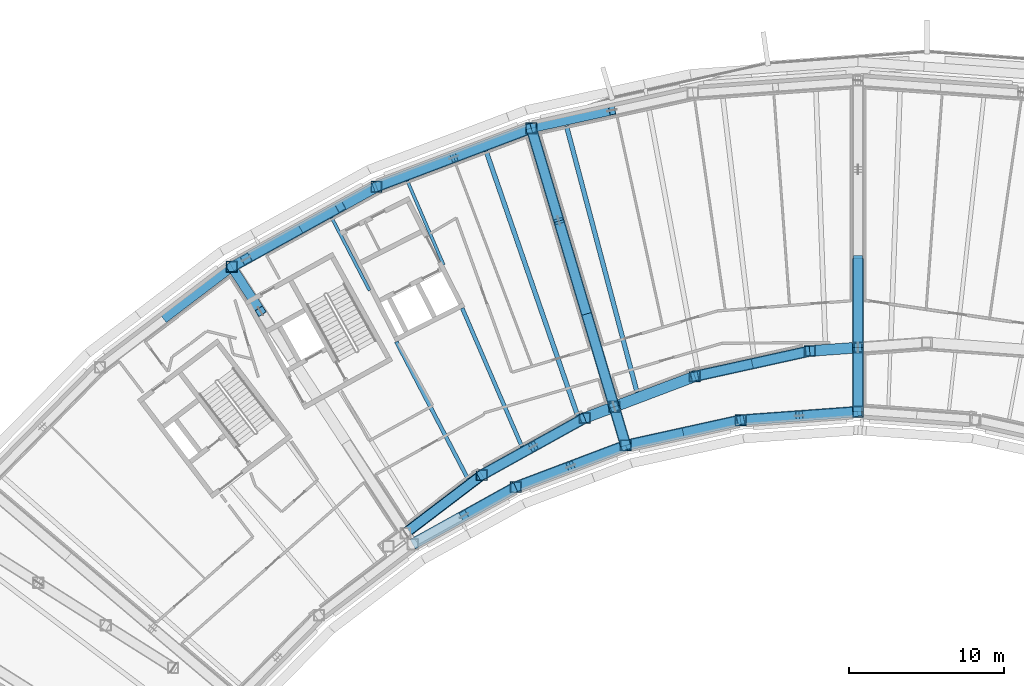
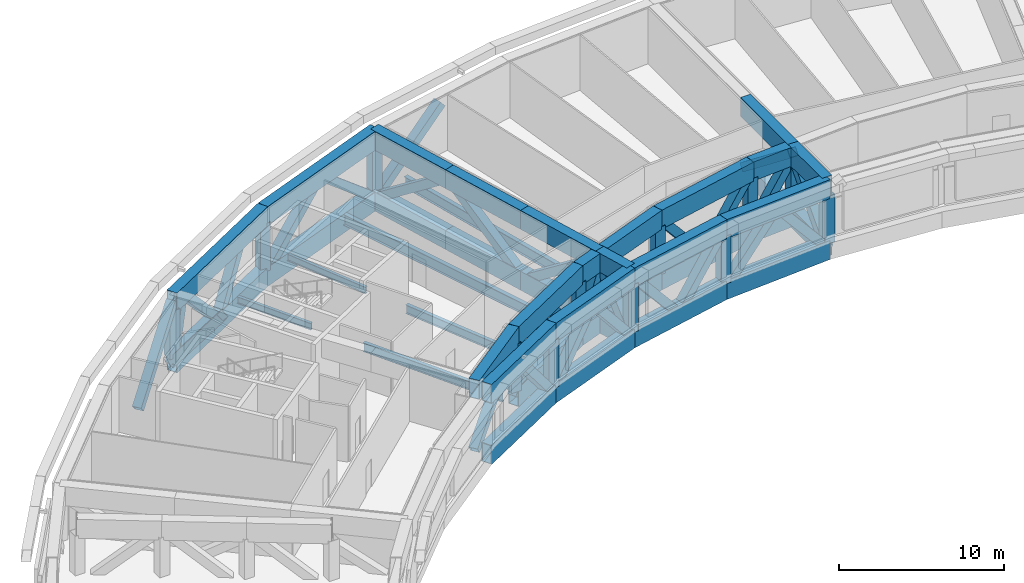
# One storey, part 2 of 25: 41 beams, 41 members.
"""IFC4 building model written with IfcOpenShell, lengths in metres."""

from ifc_helpers import new_model, si_unit, direction, frame, origin, origin_2d, place, context, subcontext, project, spatial, hollow_rectangle, i_section, extrude, material, material_profile, profile_set, type_object, element, save


model = new_model("IFC4")

# Units and contexts
model_context = context("Model", 3, precision=1e-05, world=origin(), true_north=direction((0.0, 1.0)))
body_context = subcontext(model_context, "Body", "Model", "MODEL_VIEW")
ifc_project = project(units=[si_unit("LENGTHUNIT", "METRE"), si_unit("AREAUNIT", "SQUARE_METRE"), si_unit("VOLUMEUNIT", "CUBIC_METRE"), si_unit("PLANEANGLEUNIT", "RADIAN"), si_unit("MASSUNIT", "GRAM", prefix="KILO")], contexts=[model_context])

# Site, building, storey
site_placement = place(None, origin())
site = spatial("IfcSite", under=ifc_project, at=site_placement, CompositionType="ELEMENT")
building_placement = place(site_placement, origin())
building = spatial("IfcBuilding", under=site, at=building_placement, Name="Tuul Gate Civic Tower", CompositionType="ELEMENT")
storey_placement = place(building_placement, frame((0.0, 0.0, 133.699951171875)))
storey = spatial("IfcBuildingStorey", under=building, at=storey_placement, Name="Plant and refuge floor 4", CompositionType="ELEMENT", Elevation=133.699951171875)

# Beams
ifc_material_1 = material(Name="Steel S355", Category="steel")
ifc_material_profile_1 = material_profile(ifc_material_1, i_section(OverallWidth=0.199951171875, OverallDepth=0.5, WebThickness=0.010009765625, FlangeThickness=0.01611328125, at=origin_2d()), Name="PG500x200x10x16")
ifc_profile_set_1 = profile_set([ifc_material_profile_1], Name="Steel S355")
beam_type_1 = type_object("IfcBeamType", Name="STR-FLOOR BEAM-PG500x200x10x16", PredefinedType="BEAM", material=ifc_profile_set_1)
beam_1_placement = place(storey_placement, frame((-21.35888671875, -2.661865234375, -0.64990234375), z_axis=(-0.395908045879, 0.918290160683, 0.0), x_axis=(-0.918290160683, -0.395908045879, 0.0)))
element("IfcBeam", 1, at=beam_1_placement, inside=storey, type_object=beam_type_1, Name="Floor beam", PredefinedType="BEAM", context=body_context, shape_type="SweptSolid", body=[
    extrude(i_section(OverallWidth=0.199951171875, OverallDepth=0.5, WebThickness=0.010009765625, FlangeThickness=0.01611328125, at=origin_2d()), origin(), (0.0, 0.0, 1.0), 5.908935546875),
])
beam_2_placement = place(storey_placement, frame((-26.133544921875, -4.304443359375, -0.64990234375), z_axis=(-0.462715913239, 0.886506617931, 0.0), x_axis=(-0.886506617931, -0.462715913239, 0.0)))
element("IfcBeam", 2, at=beam_2_placement, inside=storey, type_object=beam_type_1, Name="Floor beam", PredefinedType="BEAM", context=body_context, shape_type="SweptSolid", body=[
    extrude(i_section(OverallWidth=0.199951171875, OverallDepth=0.5, WebThickness=0.010009765625, FlangeThickness=0.01611328125, at=origin_2d()), origin(), (0.0, 0.0, 1.0), 5.287353515625),
])
ifc_material_2 = material(Name="Steel S355", Category="steel")
ifc_material_profile_2 = material_profile(ifc_material_2, i_section(OverallWidth=0.25, OverallDepth=0.64990234375, WebThickness=0.011962890625, FlangeThickness=0.02001953125, at=origin_2d()), Name="PG650x250x12x20")
ifc_profile_set_2 = profile_set([ifc_material_profile_2], Name="Steel S355")
beam_type_2 = type_object("IfcBeamType", Name="STR-FLOOR BEAM-PG650x250x12x20", PredefinedType="BEAM", material=ifc_profile_set_2)
beam_3_placement = place(storey_placement, frame((-16.30615234375, -14.381103515625, -0.724853515625), z_axis=(-0.395915892175, 0.918286777822, 0.0), x_axis=(-0.918286777822, -0.395915892175, 0.0)))
element("IfcBeam", 3, at=beam_3_placement, inside=storey, type_object=beam_type_2, Name="Floor beam", PredefinedType="BEAM", context=body_context, shape_type="SweptSolid", body=[
    extrude(i_section(OverallWidth=0.25, OverallDepth=0.64990234375, WebThickness=0.011962890625, FlangeThickness=0.02001953125, at=origin_2d()), origin(), (0.0, 0.0, 1.0), 9.720947265625),
])
beam_4_placement = place(storey_placement, frame((-19.7900390625, -16.457275390625, -0.724853515625), z_axis=(-0.462740075559, 0.886494005886, 0.0), x_axis=(-0.886494005886, -0.462740075559, 0.0)))
element("IfcBeam", 4, at=beam_4_placement, inside=storey, type_object=beam_type_2, Name="Floor beam", PredefinedType="BEAM", context=body_context, shape_type="SweptSolid", body=[
    extrude(i_section(OverallWidth=0.25, OverallDepth=0.64990234375, WebThickness=0.011962890625, FlangeThickness=0.02001953125, at=origin_2d()), origin(), (0.0, 0.0, 1.0), 9.969482421875),
])
ifc_material_3 = material(Name="Steel S355", Category="steel")
ifc_material_profile_3 = material_profile(ifc_material_3, i_section(OverallWidth=0.300048828125, OverallDepth=0.800048828125, WebThickness=0.013916015625, FlangeThickness=0.02490234375, at=origin_2d()), Name="PG800x300x14x25")
ifc_profile_set_3 = profile_set([ifc_material_profile_3], Name="Steel S355")
beam_type_3 = type_object("IfcBeamType", Name="STR-FLOOR BEAM-PG800x300x14x25", PredefinedType="BEAM", material=ifc_profile_set_3)
beam_5_placement = place(storey_placement, frame((-8.8779296875, -10.884765625, -0.800048828125), z_axis=(-0.256141240294, 0.966639366579, 0.0), x_axis=(-0.966639366579, -0.256141240294, 0.0)))
element("IfcBeam", 5, at=beam_5_placement, inside=storey, type_object=beam_type_3, Name="Floor beam", PredefinedType="BEAM", context=body_context, shape_type="SweptSolid", body=[
    extrude(i_section(OverallWidth=0.300048828125, OverallDepth=0.800048828125, WebThickness=0.013916015625, FlangeThickness=0.02490234375, at=origin_2d()), origin(), (0.0, 0.0, 1.0), 17.781982421875),
])
beam_6_placement = place(storey_placement, frame((-12.711181640625, -12.387939453125, -0.800048828125), z_axis=(-0.326922580013, 0.945051123844, 0.0), x_axis=(-0.945051123844, -0.326922580013, 0.0)))
element("IfcBeam", 6, at=beam_6_placement, inside=storey, type_object=beam_type_3, Name="Floor beam", PredefinedType="BEAM", context=body_context, shape_type="SweptSolid", body=[
    extrude(i_section(OverallWidth=0.300048828125, OverallDepth=0.800048828125, WebThickness=0.013916015625, FlangeThickness=0.02490234375, at=origin_2d()), origin(), (0.0, 0.0, 1.0), 18.066162109375),
])
ifc_material_4 = material(Name="Steel S460", Category="steel")
ifc_material_profile_4 = material_profile(ifc_material_4, hollow_rectangle(XDim=0.699951171875, YDim=1.39990234375, WallThickness=0.0400390625, at=origin_2d()), Name="BOX1400x700x40")
ifc_profile_set_4 = profile_set([ifc_material_profile_4], Name="Steel S460")
beam_type_4 = type_object("IfcBeamType", Name="STR-TRANSFER TRUSS CHORD-BOX1400x700x40", PredefinedType="BEAM", material=ifc_profile_set_4)
for number, where, z_axis, x_axis, name in (
    (7, (-15.702880859375, 6.162109375, -1.099853515625), (0.285194239364, -0.958469741741, 0.0), (0.958469741741, 0.285194239364, 0.0), "Radial truss bottom chord"),
    (8, (-13.919677734375, 0.169189453125, -1.099853515625), (0.285194239364, -0.958469741741, 0.0), (0.958469741741, 0.285194239364, 0.0), "Radial truss bottom chord"),
    (9, (-12.136474609375, -5.82373046875, -1.099853515625), (0.285230109213, -0.958459067878, 0.0), (0.958459067878, 0.285230109213, 0.0), "Radial truss bottom chord"),
):
    element("IfcBeam", number, at=place(storey_placement, frame(where, z_axis=z_axis, x_axis=x_axis)), inside=storey, type_object=beam_type_4, Name=name, PredefinedType="BEAM", context=body_context, shape_type="SweptSolid", body=[
        extrude(hollow_rectangle(XDim=0.699951171875, YDim=1.39990234375, WallThickness=0.0400390625, at=origin_2d()), origin(), (0.0, 0.0, 1.0), 6.252685546875),
    ])
beam_7_placement = place(storey_placement, frame((-10.35302734375, -11.816650390625, -1.099853515625), z_axis=(0.285191935916, -0.958470427133, 0.0), x_axis=(0.958470427133, 0.285191935916, 0.0)))
element("IfcBeam", 10, at=beam_7_placement, inside=storey, type_object=beam_type_4, Name="Radial truss bottom chord", PredefinedType="BEAM", context=body_context, shape_type="SweptSolid", body=[
    extrude(hollow_rectangle(XDim=0.699951171875, YDim=1.39990234375, WallThickness=0.0400390625, at=origin_2d()), origin(), (0.0, 0.0, 1.0), 2.59814453125),
])
for number, where, z_axis, x_axis, name in (
    (11, (-15.702880859375, 6.162109375, 3.400146484375), (0.285194239364, -0.958469741741, 0.0), (0.958469741741, 0.285194239364, 0.0), "Radial truss top chord"),
    (12, (-13.919677734375, 0.169189453125, 3.400146484375), (0.285194239364, -0.958469741741, 0.0), (0.958469741741, 0.285194239364, 0.0), "Radial truss top chord"),
    (13, (-12.136474609375, -5.82373046875, 3.400146484375), (0.285230109213, -0.958459067878, 0.0), (0.958459067878, 0.285230109213, 0.0), "Radial truss top chord"),
):
    element("IfcBeam", number, at=place(storey_placement, frame(where, z_axis=z_axis, x_axis=x_axis)), inside=storey, type_object=beam_type_4, Name=name, PredefinedType="BEAM", context=body_context, shape_type="SweptSolid", body=[
        extrude(hollow_rectangle(XDim=0.699951171875, YDim=1.39990234375, WallThickness=0.0400390625, at=origin_2d()), origin(), (0.0, 0.0, 1.0), 6.252685546875),
    ])
beam_8_placement = place(storey_placement, frame((-10.35302734375, -11.816650390625, 3.400146484375), z_axis=(0.285191935916, -0.958470427133, 0.0), x_axis=(0.958470427133, 0.285191935916, 0.0)))
element("IfcBeam", 14, at=beam_8_placement, inside=storey, type_object=beam_type_4, Name="Radial truss top chord", PredefinedType="BEAM", context=body_context, shape_type="SweptSolid", body=[
    extrude(hollow_rectangle(XDim=0.699951171875, YDim=1.39990234375, WallThickness=0.0400390625, at=origin_2d()), origin(), (0.0, 0.0, 1.0), 2.59814453125),
])
beam_9_placement = place(storey_placement, frame((5.3740234375, -2.250732421875, -1.099853515625), z_axis=(0.0, -1.0, 0.0), x_axis=(1.0, 0.0, 0.0)))
element("IfcBeam", 15, at=beam_9_placement, inside=storey, type_object=beam_type_4, Name="Radial truss bottom chord", PredefinedType="BEAM", context=body_context, shape_type="SweptSolid", body=[
    extrude(hollow_rectangle(XDim=0.699951171875, YDim=1.39990234375, WallThickness=0.0400390625, at=origin_2d()), origin(), (0.0, 0.0, 1.0), 5.7412109375),
])
beam_10_placement = place(storey_placement, frame((5.3740234375, -7.991943359375, -1.099853515625), z_axis=(0.0, -1.0, 0.0), x_axis=(1.0, 0.0, 0.0)))
element("IfcBeam", 16, at=beam_10_placement, inside=storey, type_object=beam_type_4, Name="Radial truss bottom chord", PredefinedType="BEAM", context=body_context, shape_type="SweptSolid", body=[
    extrude(hollow_rectangle(XDim=0.699951171875, YDim=1.39990234375, WallThickness=0.0400390625, at=origin_2d()), origin(), (0.0, 0.0, 1.0), 4.132080078125),
])
beam_11_placement = place(storey_placement, frame((5.3740234375, -2.250732421875, 3.400146484375), z_axis=(0.0, -1.0, 0.0), x_axis=(1.0, 0.0, 0.0)))
element("IfcBeam", 17, at=beam_11_placement, inside=storey, type_object=beam_type_4, Name="Radial truss top chord", PredefinedType="BEAM", context=body_context, shape_type="SweptSolid", body=[
    extrude(hollow_rectangle(XDim=0.699951171875, YDim=1.39990234375, WallThickness=0.0400390625, at=origin_2d()), origin(), (0.0, 0.0, 1.0), 5.7412109375),
])
beam_12_placement = place(storey_placement, frame((5.3740234375, -7.991943359375, 3.400146484375), z_axis=(0.0, -1.0, 0.0), x_axis=(1.0, 0.0, 0.0)))
element("IfcBeam", 18, at=beam_12_placement, inside=storey, type_object=beam_type_4, Name="Radial truss top chord", PredefinedType="BEAM", context=body_context, shape_type="SweptSolid", body=[
    extrude(hollow_rectangle(XDim=0.699951171875, YDim=1.39990234375, WallThickness=0.0400390625, at=origin_2d()), origin(), (0.0, 0.0, 1.0), 4.132080078125),
])
for number, where, z_axis, x_axis, name in (
    (19, (-15.702880859375, 6.162109375, -1.099853515625), (-0.935341677357, -0.353745595873, 0.0), (0.353745595873, -0.935341677357, 0.0), "Belt truss bottom chord"),
    (20, (-15.702880859375, 6.162109375, 3.400146484375), (-0.935341677357, -0.353745595873, 0.0), (0.353745595873, -0.935341677357, 0.0), "Belt truss top chord"),
):
    element("IfcBeam", number, at=place(storey_placement, frame(where, z_axis=z_axis, x_axis=x_axis)), inside=storey, type_object=beam_type_4, Name=name, PredefinedType="BEAM", context=body_context, shape_type="SweptSolid", body=[
        extrude(hollow_rectangle(XDim=0.699951171875, YDim=1.39990234375, WallThickness=0.0400390625, at=origin_2d()), origin(), (0.0, 0.0, 1.0), 10.677490234375),
    ])
for number, where, z_axis, x_axis, name in (
    (21, (-25.68994140625, 2.385009765625, -1.099853515625), (-0.874627142999, -0.484796205358, 0.0), (0.484796205358, -0.874627142999, 0.0), "Belt truss bottom chord"),
    (22, (-25.68994140625, 2.385009765625, 3.400146484375), (-0.874627142999, -0.484796205358, 0.0), (0.484796205358, -0.874627142999, 0.0), "Belt truss top chord"),
):
    element("IfcBeam", number, at=place(storey_placement, frame(where, z_axis=z_axis, x_axis=x_axis)), inside=storey, type_object=beam_type_4, Name=name, PredefinedType="BEAM", context=body_context, shape_type="SweptSolid", body=[
        extrude(hollow_rectangle(XDim=0.699951171875, YDim=1.39990234375, WallThickness=0.0400390625, at=origin_2d()), origin(), (0.0, 0.0, 1.0), 10.6767578125),
    ])
for number, where, z_axis, x_axis, name in (
    (23, (-18.89794921875, -16.218017578125, -1.099853515625), (0.874599842838, 0.484845454663, 0.0), (-0.484845454663, 0.874599842838, 0.0), "Belt truss bottom chord"),
    (24, (-18.89794921875, -16.218017578125, 3.400146484375), (0.874599842838, 0.484845454663, 0.0), (-0.484845454663, 0.874599842838, 0.0), "Belt truss top chord"),
    (25, (-9.612060546875, -14.306884765625, -1.099853515625), (0.97656990875, 0.215200402705, 0.0), (-0.215200402705, 0.97656990875, 0.0), "Belt truss bottom chord"),
    (26, (-9.612060546875, -14.306884765625, 3.400146484375), (0.97656990875, 0.215200402705, 0.0), (-0.215200402705, 0.97656990875, 0.0), "Belt truss top chord"),
    (27, (-5.156982421875, -9.85205078125, -1.099853515625), (0.976563150076, 0.215231070978, 0.0), (-0.215231070978, 0.976563150076, 0.0), "Belt truss bottom chord"),
    (28, (-5.156982421875, -9.85205078125, 3.400146484375), (0.976563150076, 0.215231070978, 0.0), (-0.215231070978, 0.976563150076, 0.0), "Belt truss top chord"),
):
    element("IfcBeam", number, at=place(storey_placement, frame(where, z_axis=z_axis, x_axis=x_axis)), inside=storey, type_object=beam_type_4, Name=name, PredefinedType="BEAM", context=body_context, shape_type="SweptSolid", body=[
        extrude(hollow_rectangle(XDim=0.699951171875, YDim=1.39990234375, WallThickness=0.0400390625, at=origin_2d()), origin(), (0.0, 0.0, 1.0), 7.592041015625),
    ])
for number, where, z_axis, x_axis, name in (
    (29, (2.257080078125, -8.218017578125, -1.099853515625), (0.9973799208, 0.072341506653, 0.0), (-0.072341506653, 0.9973799208, 0.0), "Belt truss bottom chord"),
    (30, (2.257080078125, -8.218017578125, 3.400146484375), (0.9973799208, 0.072341506653, 0.0), (-0.072341506653, 0.9973799208, 0.0), "Belt truss top chord"),
):
    element("IfcBeam", number, at=place(storey_placement, frame(where, z_axis=z_axis, x_axis=x_axis)), inside=storey, type_object=beam_type_4, Name=name, PredefinedType="BEAM", context=body_context, shape_type="SweptSolid", body=[
        extrude(hollow_rectangle(XDim=0.699951171875, YDim=1.39990234375, WallThickness=0.0400390625, at=origin_2d()), origin(), (0.0, 0.0, 1.0), 2.774169921875),
    ])
for number, where, z_axis, x_axis, name in (
    (31, (-2.197998046875, -12.673095703125, -1.099853515625), (0.997381233603, 0.072323404623, 0.0), (-0.072323404623, 0.997381233603, 0.0), "Belt truss bottom chord"),
    (32, (-2.197998046875, -12.673095703125, 3.400146484375), (0.997381233603, 0.072323404623, 0.0), (-0.072323404623, 0.997381233603, 0.0), "Belt truss top chord"),
):
    element("IfcBeam", number, at=place(storey_placement, frame(where, z_axis=z_axis, x_axis=x_axis)), inside=storey, type_object=beam_type_4, Name=name, PredefinedType="BEAM", context=body_context, shape_type="SweptSolid", body=[
        extrude(hollow_rectangle(XDim=0.699951171875, YDim=1.39990234375, WallThickness=0.0400390625, at=origin_2d()), origin(), (0.0, 0.0, 1.0), 7.591796875),
    ])
for number, where, z_axis, x_axis, name in (
    (33, (-16.712890625, -16.991943359375, -1.099853515625), (0.935362186019, 0.353691363996, 0.0), (-0.353691363996, 0.935362186019, 0.0), "Belt truss bottom chord"),
    (34, (-16.712890625, -16.991943359375, 3.400146484375), (0.935362186019, 0.353691363996, 0.0), (-0.353691363996, 0.935362186019, 0.0), "Belt truss top chord"),
):
    element("IfcBeam", number, at=place(storey_placement, frame(where, z_axis=z_axis, x_axis=x_axis)), inside=storey, type_object=beam_type_4, Name=name, PredefinedType="BEAM", context=body_context, shape_type="SweptSolid", body=[
        extrude(hollow_rectangle(XDim=0.699951171875, YDim=1.39990234375, WallThickness=0.0400390625, at=origin_2d()), origin(), (0.0, 0.0, 1.0), 7.591552734375),
    ])
beam_13_placement = place(storey_placement, frame((-12.258056640625, -12.537109375, -1.099853515625), z_axis=(0.935361385348, 0.353693481421, 0.0), x_axis=(-0.353693481421, 0.935361385348, 0.0)))
element("IfcBeam", 35, at=beam_13_placement, inside=storey, type_object=beam_type_4, Name="Belt truss bottom chord", PredefinedType="BEAM", context=body_context, shape_type="SweptSolid", body=[
    extrude(hollow_rectangle(XDim=0.699951171875, YDim=1.39990234375, WallThickness=0.0400390625, at=origin_2d()), origin(), (0.0, 0.0, 1.0), 1.685546875),
])
beam_14_placement = place(storey_placement, frame((-10.02490234375, -11.692626953125, -1.099853515625), z_axis=(0.935371420717, 0.35366694121, 0.0), x_axis=(-0.35366694121, 0.935371420717, 0.0)))
element("IfcBeam", 36, at=beam_14_placement, inside=storey, type_object=beam_type_4, Name="Belt truss bottom chord", PredefinedType="BEAM", context=body_context, shape_type="SweptSolid", body=[
    extrude(hollow_rectangle(XDim=0.699951171875, YDim=1.39990234375, WallThickness=0.0400390625, at=origin_2d()), origin(), (0.0, 0.0, 1.0), 5.204345703125),
])
beam_15_placement = place(storey_placement, frame((-12.258056640625, -12.537109375, 3.400146484375), z_axis=(0.935361385348, 0.353693481421, 0.0), x_axis=(-0.353693481421, 0.935361385348, 0.0)))
element("IfcBeam", 37, at=beam_15_placement, inside=storey, type_object=beam_type_4, Name="Belt truss top chord", PredefinedType="BEAM", context=body_context, shape_type="SweptSolid", body=[
    extrude(hollow_rectangle(XDim=0.699951171875, YDim=1.39990234375, WallThickness=0.0400390625, at=origin_2d()), origin(), (0.0, 0.0, 1.0), 1.685546875),
])
beam_16_placement = place(storey_placement, frame((-10.02490234375, -11.692626953125, 3.400146484375), z_axis=(0.935371420717, 0.35366694121, 0.0), x_axis=(-0.35366694121, 0.935371420717, 0.0)))
element("IfcBeam", 38, at=beam_16_placement, inside=storey, type_object=beam_type_4, Name="Belt truss top chord", PredefinedType="BEAM", context=body_context, shape_type="SweptSolid", body=[
    extrude(hollow_rectangle(XDim=0.699951171875, YDim=1.39990234375, WallThickness=0.0400390625, at=origin_2d()), origin(), (0.0, 0.0, 1.0), 5.204345703125),
])
beam_17_placement = place(storey_placement, frame((-23.82421875, -19.968994140625, 3.400146484375), z_axis=(0.795616330405, 0.605800837563, 0.0), x_axis=(-0.605800837563, 0.795616330405, 0.0)))
element("IfcBeam", 39, at=beam_17_placement, inside=storey, type_object=beam_type_4, Name="Belt truss top chord", PredefinedType="BEAM", context=body_context, shape_type="SweptSolid", body=[
    extrude(hollow_rectangle(XDim=0.699951171875, YDim=1.39990234375, WallThickness=0.0400390625, at=origin_2d()), origin(), (0.0, 0.0, 1.0), 6.191650390625),
])
for number, where, z_axis, x_axis, name in (
    (40, (-23.35302734375, -20.672119140625, -1.099853515625), (0.874648308236, 0.484758018912, 0.0), (-0.484758018912, 0.874648308236, 0.0), "Belt truss bottom chord"),
    (41, (-23.35302734375, -20.672119140625, 3.400146484375), (0.874648308236, 0.484758018912, 0.0), (-0.484758018912, 0.874648308236, 0.0), "Belt truss top chord"),
):
    element("IfcBeam", number, at=place(storey_placement, frame(where, z_axis=z_axis, x_axis=x_axis)), inside=storey, type_object=beam_type_4, Name=name, PredefinedType="BEAM", context=body_context, shape_type="SweptSolid", body=[
        extrude(hollow_rectangle(XDim=0.699951171875, YDim=1.39990234375, WallThickness=0.0400390625, at=origin_2d()), origin(), (0.0, 0.0, 1.0), 7.591796875),
    ])

# Members
ifc_material_5 = material(Name="Steel S355", Category="steel")
ifc_material_profile_5 = material_profile(ifc_material_5, hollow_rectangle(XDim=0.60009765625, YDim=0.60009765625, WallThickness=0.02490234375, at=origin_2d()), Name="BOX600x600x25")
ifc_profile_set_5 = profile_set([ifc_material_profile_5], Name="Steel S355")
member_type_1 = type_object("IfcMemberType", Name="STR-TRANSFER TRUSS DIAGONAL-BOX600x600x25", PredefinedType="BRACE", material=ifc_profile_set_5)
member_1_placement = place(storey_placement, frame((-15.7041015625, 6.165771484375, -1.102783203125), z_axis=(0.231497821993, -0.777926369832, 0.584156932282), x_axis=(0.958461470441, 0.285222035756, 0.0)))
element("IfcMember", 42, at=member_1_placement, inside=storey, type_object=member_type_1, Name="Radial truss web", PredefinedType="BRACE", context=body_context, shape_type="SweptSolid", body=[
    extrude(hollow_rectangle(XDim=0.60009765625, YDim=0.60009765625, WallThickness=0.02490234375, at=origin_2d()), origin(), (0.0, 0.0, 1.0), 7.71337890625),
])
for number, where, z_axis, x_axis, name in (
    (43, (-12.13525390625, -5.82763671875, -1.102783203125), (-0.231492122055, 0.777938866282, 0.584142549172), (-0.958464642709, -0.285211375433, 0.0), "Radial truss web"),
    (44, (-12.137451171875, -5.81982421875, -1.102783203125), (0.231492122055, -0.777938866282, 0.584142549172), (0.958464642709, 0.285211375433, 0.0), "Radial truss web"),
):
    element("IfcMember", number, at=place(storey_placement, frame(where, z_axis=z_axis, x_axis=x_axis)), inside=storey, type_object=member_type_1, Name=name, PredefinedType="BRACE", context=body_context, shape_type="SweptSolid", body=[
        extrude(hollow_rectangle(XDim=0.60009765625, YDim=0.60009765625, WallThickness=0.02490234375, at=origin_2d()), origin(), (0.0, 0.0, 1.0), 7.713623046875),
    ])
member_2_placement = place(storey_placement, frame((-9.611328125, -14.309326171875, -1.104248046875), z_axis=(-0.142607197616, 0.479265228424, 0.866006944551), x_axis=(-0.958469170477, -0.285196159239, 0.0)))
element("IfcMember", 45, at=member_2_placement, inside=storey, type_object=member_type_1, Name="Radial truss web", PredefinedType="BRACE", context=body_context, shape_type="SweptSolid", body=[
    extrude(hollow_rectangle(XDim=0.60009765625, YDim=0.60009765625, WallThickness=0.02490234375, at=origin_2d()), origin(), (0.0, 0.0, 1.0), 5.2060546875),
])
member_3_placement = place(storey_placement, frame((5.3740234375, -2.246826171875, -1.10302734375), z_axis=(0.0, -0.787048459159, 0.616891175926), x_axis=(1.0, 0.0, 0.0)))
element("IfcMember", 46, at=member_3_placement, inside=storey, type_object=member_type_1, Name="Radial truss web", PredefinedType="BRACE", context=body_context, shape_type="SweptSolid", body=[
    extrude(hollow_rectangle(XDim=0.60009765625, YDim=0.60009765625, WallThickness=0.02490234375, at=origin_2d()), origin(), (0.0, 0.0, 1.0), 7.304443359375),
])
member_4_placement = place(storey_placement, frame((5.3740234375, -12.12744140625, -1.103515625), z_axis=(0.0, 0.676363921263, 0.736567611299), x_axis=(-1.0, 0.0, 0.0)))
element("IfcMember", 47, at=member_4_placement, inside=storey, type_object=member_type_1, Name="Radial truss web", PredefinedType="BRACE", context=body_context, shape_type="SweptSolid", body=[
    extrude(hollow_rectangle(XDim=0.60009765625, YDim=0.60009765625, WallThickness=0.02490234375, at=origin_2d()), origin(), (0.0, 0.0, 1.0), 6.119384765625),
])
for number, where, z_axis, x_axis, name in (
    (48, (-15.706787109375, 6.1611328125, -1.103271484375), (0.746706722822, 0.16454990343, 0.644478393256), (-0.215204102376, 0.97656909347, 0.0), "Belt truss web"),
    (49, (-39.279052734375, -6.02734375, -1.103271484375), (0.608376807768, 0.463169396376, 0.644477904998), (-0.605748763564, 0.795655978072, 0.0), "Belt truss web"),
):
    element("IfcMember", number, at=place(storey_placement, frame(where, z_axis=z_axis, x_axis=x_axis)), inside=storey, type_object=member_type_1, Name=name, PredefinedType="BRACE", context=body_context, shape_type="SweptSolid", body=[
        extrude(hollow_rectangle(XDim=0.60009765625, YDim=0.60009765625, WallThickness=0.02490234375, at=origin_2d()), origin(), (0.0, 0.0, 1.0), 6.99267578125),
    ])
for number, where, z_axis, x_axis, name in (
    (50, (-15.699462890625, 6.163330078125, -1.103271484375), (-0.715171595431, -0.270454483142, 0.644502879464), (0.353719353059, -0.935351601951, 0.0), "Belt truss web"),
    (51, (-25.693603515625, 2.383544921875, -1.103271484375), (0.715164841711, 0.270486844151, 0.644496793104), (-0.35375930341, 0.935336493061, 0.0), "Belt truss web"),
):
    element("IfcMember", number, at=place(storey_placement, frame(where, z_axis=z_axis, x_axis=x_axis)), inside=storey, type_object=member_type_1, Name=name, PredefinedType="BRACE", context=body_context, shape_type="SweptSolid", body=[
        extrude(hollow_rectangle(XDim=0.60009765625, YDim=0.60009765625, WallThickness=0.02490234375, at=origin_2d()), origin(), (0.0, 0.0, 1.0), 6.992431640625),
    ])
for number, where, z_axis, x_axis, name in (
    (52, (-18.90087890625, -16.219482421875, -1.103759765625), (0.563943712005, 0.312607470955, 0.764358593066), (-0.484819546412, 0.874614204903, 0.0), "Belt truss web"),
    (53, (-12.255126953125, -12.535400390625, -1.103759765625), (-0.563936413224, -0.31264482401, 0.764348700437), (0.484868658503, -0.874586979095, 0.0), "Belt truss web"),
    (54, (-5.90185546875, -13.4892578125, -1.103759765625), (-0.629684186818, -0.138770637358, 0.764356288048), (0.215216968894, -0.976566258018, 0.0), "Belt truss web"),
    (55, (-5.908203125, -13.49072265625, -1.103759765625), (0.629684186818, 0.138770637358, 0.764356288048), (-0.215216968894, 0.976566258018, 0.0), "Belt truss web"),
    (56, (-1.44677734375, -9.034423828125, -1.103759765625), (-0.629684186818, -0.138770637358, 0.764356288048), (0.215216968894, -0.976566258018, 0.0), "Belt truss web"),
    (57, (-1.453125, -9.03564453125, -1.103759765625), (0.629684186818, 0.138770637358, 0.764356288048), (-0.215216968894, 0.976566258018, 0.0), "Belt truss web"),
):
    element("IfcMember", number, at=place(storey_placement, frame(where, z_axis=z_axis, x_axis=x_axis)), inside=storey, type_object=member_type_1, Name=name, PredefinedType="BRACE", context=body_context, shape_type="SweptSolid", body=[
        extrude(hollow_rectangle(XDim=0.60009765625, YDim=0.60009765625, WallThickness=0.02490234375, at=origin_2d()), origin(), (0.0, 0.0, 1.0), 5.897216796875),
    ])
member_5_placement = place(storey_placement, frame((2.254150390625, -8.21826171875, -1.10400390625), z_axis=(0.568951492633, 0.041278006814, 0.821334478263), x_axis=(-0.07236082138, 0.997378519685, 0.0)))
element("IfcMember", 58, at=member_5_placement, inside=storey, type_object=member_type_1, Name="Belt truss web", PredefinedType="BRACE", context=body_context, shape_type="SweptSolid", body=[
    extrude(hollow_rectangle(XDim=0.60009765625, YDim=0.60009765625, WallThickness=0.02490234375, at=origin_2d()), origin(), (0.0, 0.0, 1.0), 5.48876953125),
])
for number, where, z_axis, x_axis, name in (
    (59, (-2.201171875, -12.67333984375, -1.103759765625), (0.643100178458, 0.046657261563, 0.764359379095), (-0.072360347011, 0.997378554101, 0.0), "Belt truss web"),
    (60, (5.377197265625, -12.123779296875, -1.103759765625), (-0.643101420115, -0.046615952044, 0.764360854872), (0.072296476587, -0.997383185878, 0.0), "Belt truss web"),
    (61, (-16.716064453125, -16.9931640625, -1.103759765625), (0.603113717001, 0.228030639294, 0.764366320496), (-0.353655277079, 0.93537583088, 0.0), "Belt truss web"),
    (62, (-9.60888671875, -14.305908203125, -1.103759765625), (-0.603113717001, -0.228030639294, 0.764366320496), (0.353655277079, -0.93537583088, 0.0), "Belt truss web"),
):
    element("IfcMember", number, at=place(storey_placement, frame(where, z_axis=z_axis, x_axis=x_axis)), inside=storey, type_object=member_type_1, Name=name, PredefinedType="BRACE", context=body_context, shape_type="SweptSolid", body=[
        extrude(hollow_rectangle(XDim=0.60009765625, YDim=0.60009765625, WallThickness=0.02490234375, at=origin_2d()), origin(), (0.0, 0.0, 1.0), 5.897216796875),
    ])
member_6_placement = place(storey_placement, frame((-12.260009765625, -12.537841796875, -1.1044921875), z_axis=(0.385690066844, 0.145860791362, 0.91102568673), x_axis=(-0.35373088516, 0.935347240806, 0.0)))
element("IfcMember", 63, at=member_6_placement, inside=storey, type_object=member_type_1, Name="Belt truss web", PredefinedType="BRACE", context=body_context, shape_type="SweptSolid", body=[
    extrude(hollow_rectangle(XDim=0.60009765625, YDim=0.60009765625, WallThickness=0.02490234375, at=origin_2d()), origin(), (0.0, 0.0, 1.0), 4.949462890625),
])
member_7_placement = place(storey_placement, frame((-23.8193359375, -19.965087890625, -1.102783203125), z_axis=(0.643236772229, 0.489754119672, 0.588546818118), x_axis=(-0.60578410769, 0.795629068643, 0.0)))
element("IfcMember", 64, at=member_7_placement, inside=storey, type_object=member_type_1, Name="Belt truss web", PredefinedType="BRACE", context=body_context, shape_type="SweptSolid", body=[
    extrude(hollow_rectangle(XDim=0.60009765625, YDim=0.60009765625, WallThickness=0.02490234375, at=origin_2d()), origin(), (0.0, 0.0, 1.0), 7.656005859375),
])
member_8_placement = place(storey_placement, frame((-16.710205078125, -16.990478515625, -1.103759765625), z_axis=(-0.563958307517, -0.312532760494, 0.764378375545), x_axis=(0.48472130847, -0.874668653328, 0.0)))
element("IfcMember", 65, at=member_8_placement, inside=storey, type_object=member_type_1, Name="Belt truss web", PredefinedType="BRACE", context=body_context, shape_type="SweptSolid", body=[
    extrude(hollow_rectangle(XDim=0.60009765625, YDim=0.60009765625, WallThickness=0.02490234375, at=origin_2d()), origin(), (0.0, 0.0, 1.0), 5.89697265625),
])
member_9_placement = place(storey_placement, frame((-35.029541015625, -2.78857421875, -1.10400390625), z_axis=(0.33065936157, -0.506447487012, 0.796351260127), x_axis=(0.837332456307, 0.54669402559, 0.0)))
element("IfcMember", 66, at=member_9_placement, inside=storey, type_object=member_type_1, Name="Radial truss web", PredefinedType="BRACE", context=body_context, shape_type="SweptSolid", body=[
    extrude(hollow_rectangle(XDim=0.60009765625, YDim=0.60009765625, WallThickness=0.02490234375, at=origin_2d()), origin(), (0.0, 0.0, 1.0), 5.660888671875),
])
member_10_placement = place(storey_placement, frame((-35.029052734375, -2.79150390625, -1.104736328125), z_axis=(0.201899644169, 0.111879688029, 0.972995102295), x_axis=(-0.484693253595, 0.874684200108, 0.0)))
element("IfcMember", 67, at=member_10_placement, inside=storey, type_object=member_type_1, Name="Belt truss web", PredefinedType="BRACE", context=body_context, shape_type="SweptSolid", body=[
    extrude(hollow_rectangle(XDim=0.60009765625, YDim=0.60009765625, WallThickness=0.02490234375, at=origin_2d()), origin(), (0.0, 0.0, 1.0), 4.635009765625),
])
member_11_placement = place(storey_placement, frame((-30.35595703125, -0.201416015625, -1.103515625), z_axis=(-0.602085075217, -0.333732095334, 0.725338852361), x_axis=(0.484799495156, -0.874625319492, 0.0)))
element("IfcMember", 68, at=member_11_placement, inside=storey, type_object=member_type_1, Name="Belt truss web", PredefinedType="BRACE", context=body_context, shape_type="SweptSolid", body=[
    extrude(hollow_rectangle(XDim=0.60009765625, YDim=0.60009765625, WallThickness=0.02490234375, at=origin_2d()), origin(), (0.0, 0.0, 1.0), 6.2138671875),
])
member_12_placement = place(storey_placement, frame((-30.361328125, -0.204345703125, -1.104248046875), z_axis=(0.446215991132, 0.24734924631, 0.860063741596), x_axis=(-0.484821140666, 0.874613321167, 0.0)))
element("IfcMember", 69, at=member_12_placement, inside=storey, type_object=member_type_1, Name="Belt truss web", PredefinedType="BRACE", context=body_context, shape_type="SweptSolid", body=[
    extrude(hollow_rectangle(XDim=0.60009765625, YDim=0.60009765625, WallThickness=0.02490234375, at=origin_2d()), origin(), (0.0, 0.0, 1.0), 5.2421875),
])
ifc_material_6 = material(Name="Steel S355", Category="steel")
ifc_material_profile_6 = material_profile(ifc_material_6, hollow_rectangle(XDim=0.699951171875, YDim=0.699951171875, WallThickness=0.030029296875, at=origin_2d()), Name="BOX700x700x30")
ifc_profile_set_6 = profile_set([ifc_material_profile_6], Name="Steel S355")
member_type_2 = type_object("IfcMemberType", Name="STR-TRUSS POST-BOX700x700x30", PredefinedType="POST", material=ifc_profile_set_6)
for number, where, z_axis, x_axis, name in (
    (70, (-15.702880859375, 6.162109375, -0.619873046875), (0.0, 0.0, 1.0), (1.0, 0.0, 0.0), "Radial truss post"),
    (71, (-10.35302734375, -11.816650390625, -0.619873046875), (0.0, 0.0, 1.0), (1.0, 0.0, 0.0), "Radial truss post"),
    (72, (-9.612060546875, -14.306884765625, -0.619873046875), (0.0, 0.0, 1.0), (1.0, 0.0, 0.0), "Radial truss post"),
    (73, (5.3740234375, -7.991943359375, -0.619873046875), (0.0, 0.0, 1.0), (1.0, 0.0, 0.0), "Radial truss post"),
    (74, (5.3740234375, -12.1240234375, -0.619873046875), (0.0, 0.0, 1.0), (1.0, 0.0, 0.0), "Radial truss post"),
    (75, (-35.028076171875, -2.791015625, -0.619873046875), (0.0, 0.0, 1.0), (1.0, 0.0, 0.0), "Radial truss post"),
    (76, (-25.68994140625, 2.385009765625, -0.619873046875), (0.0, 0.0, 1.0), (1.0, 0.0, 0.0), "Belt truss post"),
    (77, (-18.89794921875, -16.218017578125, -0.619873046875), (0.0, 0.0, 1.0), (1.0, 0.0, 0.0), "Belt truss post"),
    (78, (-12.258056640625, -12.537109375, -0.619873046875), (0.0, 0.0, 1.0), (1.0, 0.0, 0.0), "Belt truss post"),
    (79, (-2.197998046875, -12.673095703125, -0.619873046875), (0.0, 0.0, 1.0), (1.0, 0.0, 0.0), "Belt truss post"),
    (80, (-5.156982421875, -9.85205078125, -0.619873046875), (0.0, 0.0, 1.0), (1.0, 0.0, 0.0), "Belt truss post"),
    (81, (2.257080078125, -8.218017578125, -0.619873046875), (0.0, 0.0, 1.0), (1.0, 0.0, 0.0), "Belt truss post"),
    (82, (-16.712890625, -16.991943359375, -0.619873046875), (0.0, 0.0, 1.0), (1.0, 0.0, 0.0), "Belt truss post"),
):
    element("IfcMember", number, at=place(storey_placement, frame(where, z_axis=z_axis, x_axis=x_axis)), inside=storey, type_object=member_type_2, Name=name, PredefinedType="POST", context=body_context, shape_type="SweptSolid", body=[
        extrude(hollow_rectangle(XDim=0.699951171875, YDim=0.699951171875, WallThickness=0.030029296875, at=origin_2d()), origin(), (0.0, 0.0, 1.0), 3.5400390625),
    ])

save(model, "model.ifc")
